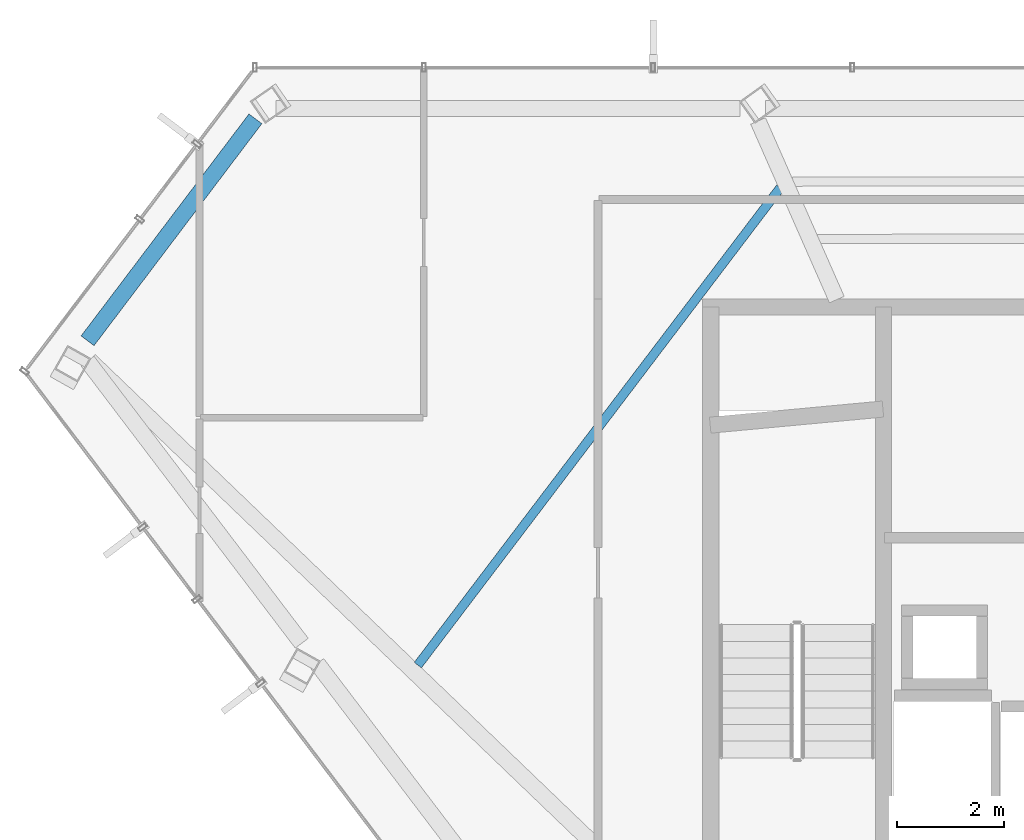
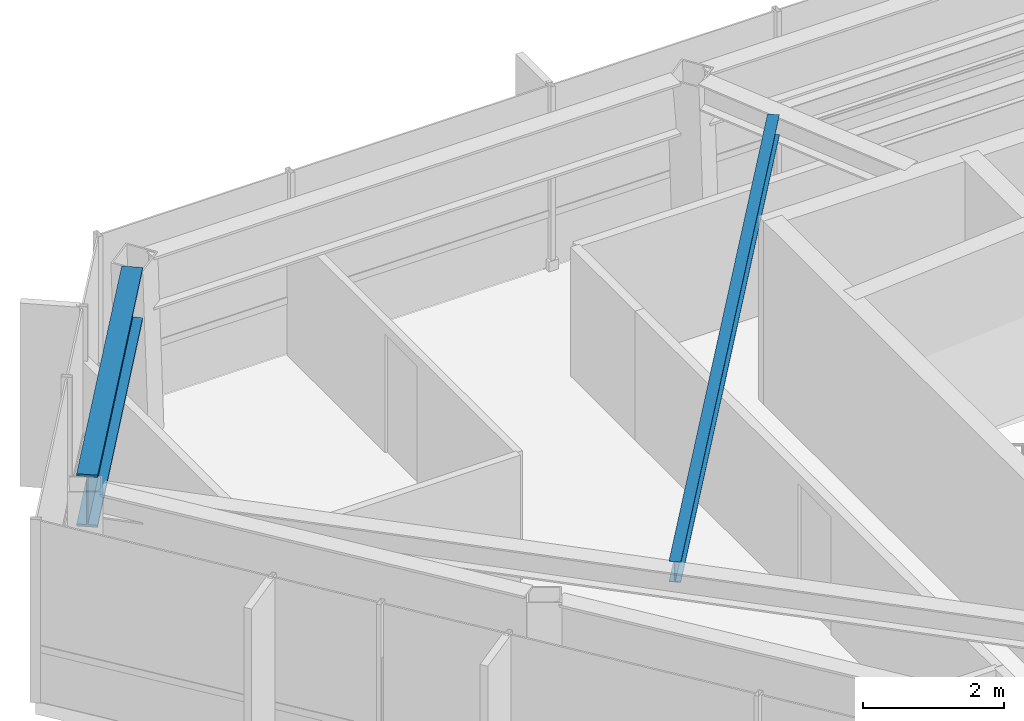
# One storey, part 10 of 26: 2 beams.
"""IFC4 building model written with IfcOpenShell, lengths in metres."""

from ifc_helpers import new_model, si_unit, direction, frame, origin, origin_2d, place, context, subcontext, project, spatial, i_section, extrude, material, material_profile, profile_set, type_object, element, save


model = new_model("IFC4")

# Units and contexts
model_context = context("Model", 3, precision=1e-05, world=origin(), true_north=direction((0.0, 1.0)))
body_context = subcontext(model_context, "Body", "Model", "MODEL_VIEW")
ifc_project = project(units=[si_unit("LENGTHUNIT", "METRE"), si_unit("AREAUNIT", "SQUARE_METRE"), si_unit("VOLUMEUNIT", "CUBIC_METRE"), si_unit("PLANEANGLEUNIT", "RADIAN"), si_unit("MASSUNIT", "GRAM", prefix="KILO")], contexts=[model_context])

# Site, building, storey
site_placement = place(None, origin())
site = spatial("IfcSite", under=ifc_project, at=site_placement, CompositionType="ELEMENT")
building_placement = place(site_placement, origin())
building = spatial("IfcBuilding", under=site, at=building_placement, Name="Zarrinselat Tower", CompositionType="ELEMENT")
storey_placement = place(building_placement, frame((0.0, 0.0, 265.199951171875)))
storey = spatial("IfcBuildingStorey", under=building, at=storey_placement, Name="L67", CompositionType="ELEMENT", Elevation=265.199951171875)

# Beams
ifc_material_1 = material(Name="Steel S460M", Category="steel")
ifc_material_profile_1 = material_profile(ifc_material_1, i_section(OverallWidth=0.302001953125, OverallDepth=0.909912109375, WebThickness=0.02099609375, FlangeThickness=0.0400390625, at=origin_2d()), Name="HEM 900")
ifc_profile_set_1 = profile_set([ifc_material_profile_1], Name="Steel S460M")
beam_type_1 = type_object("IfcBeamType", Name="BM-HEM900", PredefinedType="BEAM", material=ifc_profile_set_1)
beam_1_placement = place(storey_placement, frame((17.0341796875, 42.77197265625, 2.72509765625), z_axis=(0.603172535028, 0.797610740266, 0.0), x_axis=(-0.797610740266, 0.603172535028, 0.0)))
element("IfcBeam", 1, at=beam_1_placement, inside=storey, type_object=beam_type_1, Name="L67 Perimeter Spandrel Girder SP05", PredefinedType="BEAM", context=body_context, shape_type="SweptSolid", body=[
    extrude(i_section(OverallWidth=0.302001953125, OverallDepth=0.909912109375, WebThickness=0.02099609375, FlangeThickness=0.0400390625, at=origin_2d()), origin(), (0.0, 0.0, 1.0), 5.188232421875),
])
ifc_material_2 = material(Name="Steel S355J2", Category="steel")
ifc_material_profile_2 = material_profile(ifc_material_2, i_section(OverallWidth=0.169921875, OverallDepth=0.360107421875, WebThickness=0.008056640625, FlangeThickness=0.0126953125, at=origin_2d()), Name="IPE 360")
ifc_profile_set_2 = profile_set([ifc_material_profile_2], Name="Steel S355J2")
beam_type_2 = type_object("IfcBeamType", Name="BM-IPE360", PredefinedType="JOIST", material=ifc_profile_set_2)
beam_2_placement = place(storey_placement, frame((23.191162109375, 36.727294921875, 3.0), z_axis=(0.604678180667, 0.796469897627, 0.0), x_axis=(-0.796469897627, 0.604678180667, 0.0)))
element("IfcBeam", 2, at=beam_2_placement, inside=storey, type_object=beam_type_2, Name="L67 Composite Floor Joist 9-1", PredefinedType="JOIST", context=body_context, shape_type="SweptSolid", body=[
    extrude(i_section(OverallWidth=0.169921875, OverallDepth=0.360107421875, WebThickness=0.008056640625, FlangeThickness=0.0126953125, at=origin_2d()), origin(), (0.0, 0.0, 1.0), 11.172607421875),
])

save(model, "model.ifc")
